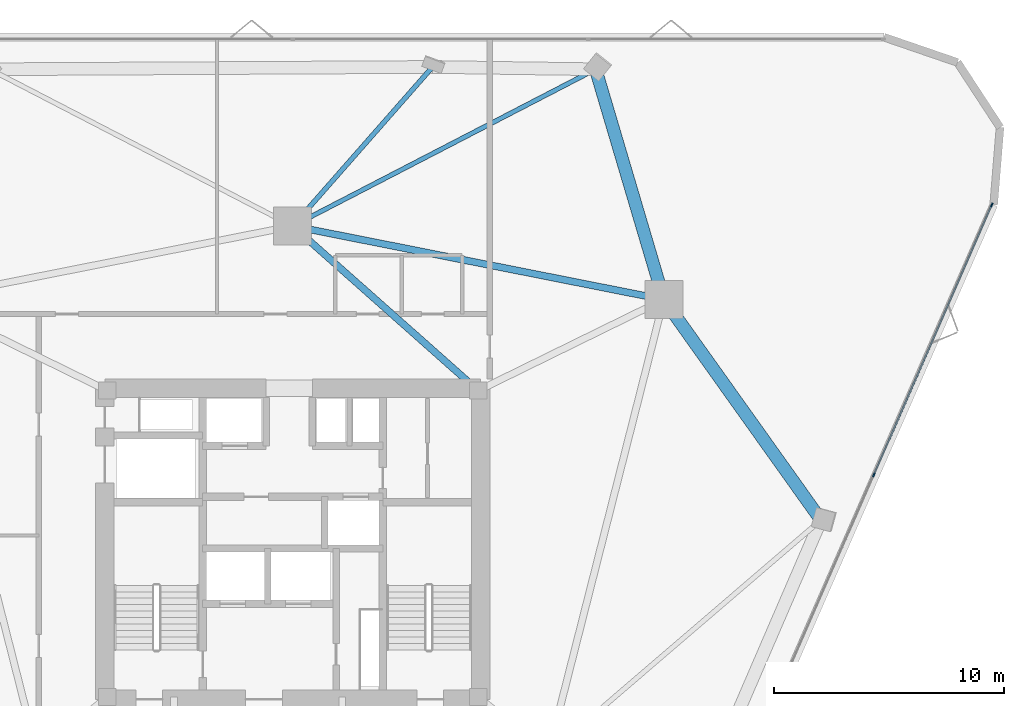
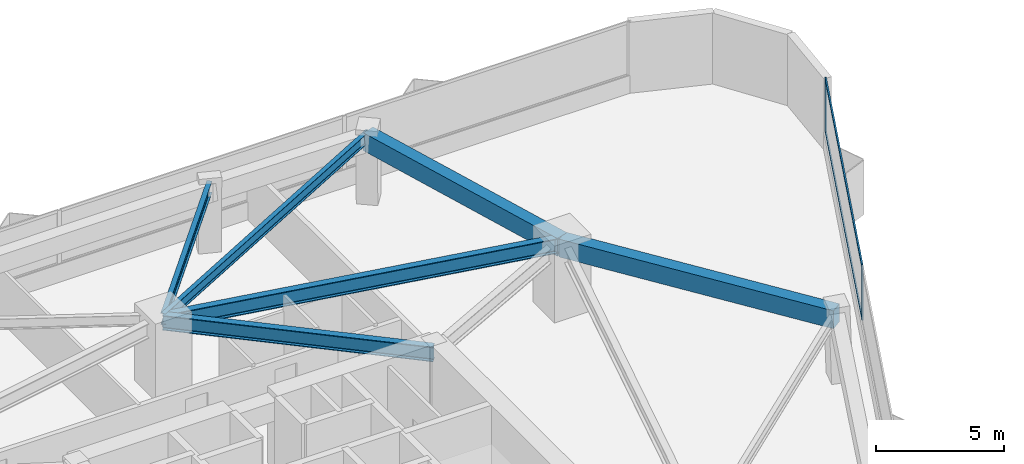
# One storey, part 8 of 16: 6 beams, 4 members, 1 element without a shape of its own.
"""IFC4 building model written with IfcOpenShell, lengths in metres."""

from ifc_helpers import new_model, si_unit, direction, frame, origin, origin_2d, place, context, subcontext, project, spatial, rectangle, i_section, extrude, material, layer, layer_set, material_profile, profile_set, type_object, element, aggregate, save


model = new_model("IFC4")

# Units and contexts
model_context = context("Model", 3, precision=1e-05, world=origin(), true_north=direction((0.0, 1.0)))
body_context = subcontext(model_context, "Body", "Model", "MODEL_VIEW")
ifc_project = project(units=[si_unit("LENGTHUNIT", "METRE"), si_unit("AREAUNIT", "SQUARE_METRE"), si_unit("VOLUMEUNIT", "CUBIC_METRE"), si_unit("PLANEANGLEUNIT", "RADIAN"), si_unit("MASSUNIT", "GRAM", prefix="KILO")], contexts=[model_context])

# Site, building, storey
site_placement = place(None, origin())
site = spatial("IfcSite", under=ifc_project, at=site_placement, CompositionType="ELEMENT")
building_placement = place(site_placement, origin())
building = spatial("IfcBuilding", under=site, at=building_placement, Name="Talyreon Biosciences Tower", CompositionType="ELEMENT")
storey_placement = place(building_placement, frame((0.0, 0.0, 107.85009765625)))
storey = spatial("IfcBuildingStorey", under=building, at=storey_placement, Name="L28", CompositionType="ELEMENT", Elevation=107.85009765625)

# Curtain wall, members
ifc_material_1 = material(Name="Thermally broken aluminium and low-E glazing", Category="aluminium")
ifc_layer = layer(ifc_material_1, 0.18994140625)
ifc_layer_set = layer_set([ifc_layer], Name="Thermally broken aluminium and low-E glazing")
curtain_wall_type = type_object("IfcCurtainWallType", Name="CurtainWall_Zone2Genomics", PredefinedType="NOTDEFINED", material=ifc_layer_set)
curtain_wall_placement = place(storey_placement, origin())
curtain_wall = element("IfcCurtainWall", 1, at=curtain_wall_placement, inside=storey, type_object=curtain_wall_type, Name="L28 Unitised Curtain Wall FCW-L28-08", PredefinedType="NOTDEFINED")
ifc_material_2 = material(Name="Anodised thermally broken aluminium", Category="aluminium")
ifc_material_profile_1 = material_profile(ifc_material_2, rectangle(XDim=0.06494140625, YDim=0.179931640625, at=origin_2d()), Name="ALUM MULLION 65x180")
ifc_profile_set_1 = profile_set([ifc_material_profile_1], Name="Anodised thermally broken aluminium")
member_type_1 = type_object("IfcMemberType", Name="CWMullion_65x180", PredefinedType="MULLION", material=ifc_profile_set_1)
member_1_placement = place(storey_placement, frame((96.33251953125, 82.706787109375, 0.809814453125), z_axis=(0.0, 0.0, 1.0), x_axis=(0.9163461482, -0.400386983653, 0.0)))
member_1 = element("IfcMember", 2, at=member_1_placement, type_object=member_type_1, Name="CW3 mullion 1", PredefinedType="MULLION", context=body_context, shape_type="SweptSolid", body=[
    extrude(rectangle(XDim=0.06494140625, YDim=0.179931640625, at=origin_2d()), origin(), (0.0, 0.0, 1.0), 2.565185546875),
])
member_2_placement = place(storey_placement, frame((91.21484375, 70.994140625, 0.809814453125), z_axis=(0.0, 0.0, 1.0), x_axis=(0.9163461482, -0.400386983653, 0.0)))
member_2 = element("IfcMember", 3, at=member_2_placement, type_object=member_type_1, Name="CW3 mullion 2", PredefinedType="MULLION", context=body_context, shape_type="SweptSolid", body=[
    extrude(rectangle(XDim=0.06494140625, YDim=0.179931640625, at=origin_2d()), origin(), (0.0, 0.0, 1.0), 2.565185546875),
])
ifc_material_profile_2 = material_profile(ifc_material_2, rectangle(XDim=0.06494140625, YDim=0.139892578125, at=origin_2d()), Name="ALUM TRANSOM 65x140")
ifc_profile_set_2 = profile_set([ifc_material_profile_2], Name="Anodised thermally broken aluminium")
member_type_2 = type_object("IfcMemberType", Name="CWTransom_65x140", PredefinedType="USERDEFINED", material=ifc_profile_set_2)
member_3_placement = place(storey_placement, frame((96.319580078125, 82.677001953125, 0.84228515625), z_axis=(-0.400394797159, -0.916342734138, 0.0), x_axis=(0.916342734138, -0.400394797159, 0.0)))
member_3 = element("IfcMember", 4, at=member_3_placement, type_object=member_type_2, Name="CW3 transom 1.1", ObjectType="TRANSOM", PredefinedType="USERDEFINED", context=body_context, shape_type="SweptSolid", body=[
    extrude(rectangle(XDim=0.06494140625, YDim=0.139892578125, at=origin_2d()), origin(), (0.0, 0.0, 1.0), 12.717041015625),
])
member_4_placement = place(storey_placement, frame((96.319580078125, 82.677001953125, 3.34228515625), z_axis=(-0.400394797159, -0.916342734138, 0.0), x_axis=(0.916342734138, -0.400394797159, 0.0)))
member_4 = element("IfcMember", 5, at=member_4_placement, type_object=member_type_2, Name="CW3 transom 1.2", ObjectType="TRANSOM", PredefinedType="USERDEFINED", context=body_context, shape_type="SweptSolid", body=[
    extrude(rectangle(XDim=0.06494140625, YDim=0.139892578125, at=origin_2d()), origin(), (0.0, 0.0, 1.0), 12.717041015625),
])
aggregate(curtain_wall, [member_1, member_2, member_3, member_4])

# Beams
ifc_material_3 = material(Name="Precast concrete C45/55", Category="concrete")
ifc_material_profile_3 = material_profile(ifc_material_3, rectangle(XDim=0.550048828125, YDim=0.85009765625, at=origin_2d()), Name="RCB 550x850")
ifc_profile_set_3 = profile_set([ifc_material_profile_3], Name="Precast concrete C45/55")
beam_type_1 = type_object("IfcBeamType", Name="ExpressedSpandrel_550x850", PredefinedType="SPANDREL", material=ifc_profile_set_3)
beam_1_placement = place(storey_placement, frame((88.921875, 69.032470703125, 2.949951171875), z_axis=(-0.580483078214, 0.81427231066, 0.0), x_axis=(-0.81427231066, -0.580483078214, 0.0)))
element("IfcBeam", 6, at=beam_1_placement, inside=storey, type_object=beam_type_1, Name="L28 Expressed Horizontal Concrete Spandrel 04", PredefinedType="SPANDREL", context=body_context, shape_type="SweptSolid", body=[
    extrude(rectangle(XDim=0.550048828125, YDim=0.85009765625, at=origin_2d()), origin(), (0.0, 0.0, 1.0), 11.748046875),
])
beam_2_placement = place(storey_placement, frame((82.102294921875, 78.5986328125, 2.949951171875), z_axis=(-0.283845057219, 0.958870159872, 0.0), x_axis=(-0.958870159872, -0.283845057219, 0.0)))
element("IfcBeam", 7, at=beam_2_placement, inside=storey, type_object=beam_type_1, Name="L28 Expressed Horizontal Concrete Spandrel 05", PredefinedType="SPANDREL", context=body_context, shape_type="SweptSolid", body=[
    extrude(rectangle(XDim=0.550048828125, YDim=0.85009765625, at=origin_2d()), origin(), (0.0, 0.0, 1.0), 10.422119140625),
])
ifc_material_4 = material(Name="Steel SM355", Category="steel")
ifc_material_profile_4 = material_profile(ifc_material_4, i_section(OverallWidth=0.300048828125, OverallDepth=0.699951171875, WebThickness=0.01708984375, FlangeThickness=0.031982421875, FilletRadius=0.027099609375, at=origin_2d()), Name="HE700B")
ifc_profile_set_4 = profile_set([ifc_material_profile_4], Name="Steel SM355")
beam_type_2 = type_object("IfcBeamType", Name="SteelGirder_HE700B", PredefinedType="BEAM", material=ifc_profile_set_4)
beam_3_placement = place(storey_placement, frame((82.102294921875, 78.5986328125, 3.02490234375), z_axis=(-0.980933730698, 0.194342522311, 0.0), x_axis=(-0.194342522311, -0.980933730698, 0.0)))
element("IfcBeam", 8, at=beam_3_placement, inside=storey, type_object=beam_type_2, Name="L28 Mega-Ring Girder 3", PredefinedType="BEAM", context=body_context, shape_type="SweptSolid", body=[
    extrude(i_section(OverallWidth=0.300048828125, OverallDepth=0.699951171875, WebThickness=0.01708984375, FlangeThickness=0.031982421875, FilletRadius=0.027099609375, at=origin_2d()), origin(), (0.0, 0.0, 1.0), 16.415283203125),
])
beam_4_placement = place(storey_placement, frame((74.050048828125, 74.64990234375, 3.02490234375), z_axis=(-0.748178733955, 0.663497235908, 0.0), x_axis=(-0.663497235908, -0.748178733955, 0.0)))
element("IfcBeam", 9, at=beam_4_placement, inside=storey, type_object=beam_type_2, Name="L28 Radial Primary Girder 4", PredefinedType="BEAM", context=body_context, shape_type="SweptSolid", body=[
    extrude(i_section(OverallWidth=0.300048828125, OverallDepth=0.699951171875, WebThickness=0.01708984375, FlangeThickness=0.031982421875, FilletRadius=0.027099609375, at=origin_2d()), origin(), (0.0, 0.0, 1.0), 10.759521484375),
])
ifc_material_profile_5 = material_profile(ifc_material_4, i_section(OverallWidth=0.199951171875, OverallDepth=0.5, WebThickness=0.01025390625, FlangeThickness=0.01611328125, FilletRadius=0.02099609375, at=origin_2d()), Name="IPE500")
ifc_profile_set_5 = profile_set([ifc_material_profile_5], Name="Steel SM355")
beam_type_3 = type_object("IfcBeamType", Name="SteelJoist_IPE500", PredefinedType="JOIST", material=ifc_profile_set_5)
beam_5_placement = place(storey_placement, frame((66.0, 81.788818359375, 3.125), z_axis=(0.888091339175, 0.459667024359, 0.0), x_axis=(-0.459667024359, 0.888091339175, 0.0)))
element("IfcBeam", 10, at=beam_5_placement, inside=storey, type_object=beam_type_3, Name="L28 Radial Composite Floor Joist PC-N1", PredefinedType="JOIST", context=body_context, shape_type="SweptSolid", body=[
    extrude(i_section(OverallWidth=0.199951171875, OverallDepth=0.5, WebThickness=0.01025390625, FlangeThickness=0.01611328125, FilletRadius=0.02099609375, at=origin_2d()), origin(), (0.0, 0.0, 1.0), 14.80029296875),
])
ifc_material_profile_6 = material_profile(ifc_material_4, i_section(OverallWidth=0.2099609375, OverallDepth=0.550048828125, WebThickness=0.010986328125, FlangeThickness=0.01708984375, FilletRadius=0.02392578125, at=origin_2d()), Name="IPE550")
ifc_profile_set_6 = profile_set([ifc_material_profile_6], Name="Steel SM355")
beam_type_4 = type_object("IfcBeamType", Name="SteelJoist_IPE550", PredefinedType="JOIST", material=ifc_profile_set_6)
beam_6_placement = place(storey_placement, frame((66.0, 81.788818359375, 3.099853515625), z_axis=(0.660105523023, 0.751172881882, 0.0), x_axis=(-0.751172881882, 0.660105523023, 0.0)))
element("IfcBeam", 11, at=beam_6_placement, inside=storey, type_object=beam_type_4, Name="L28 Radial Composite Floor Joist PL-N", PredefinedType="JOIST", context=body_context, shape_type="SweptSolid", body=[
    extrude(i_section(OverallWidth=0.2099609375, OverallDepth=0.550048828125, WebThickness=0.010986328125, FlangeThickness=0.01708984375, FilletRadius=0.02392578125, at=origin_2d()), origin(), (0.0, 0.0, 1.0), 9.18994140625),
])

save(model, "model.ifc")
